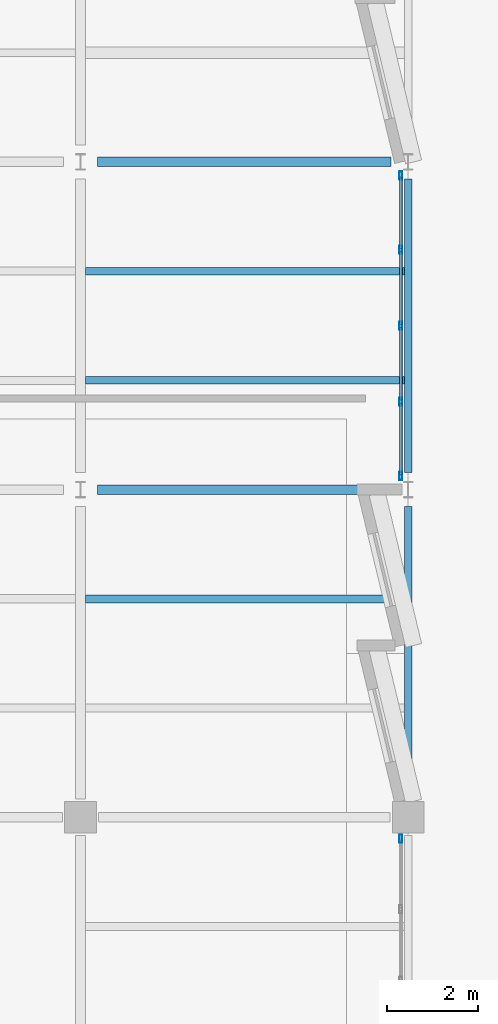
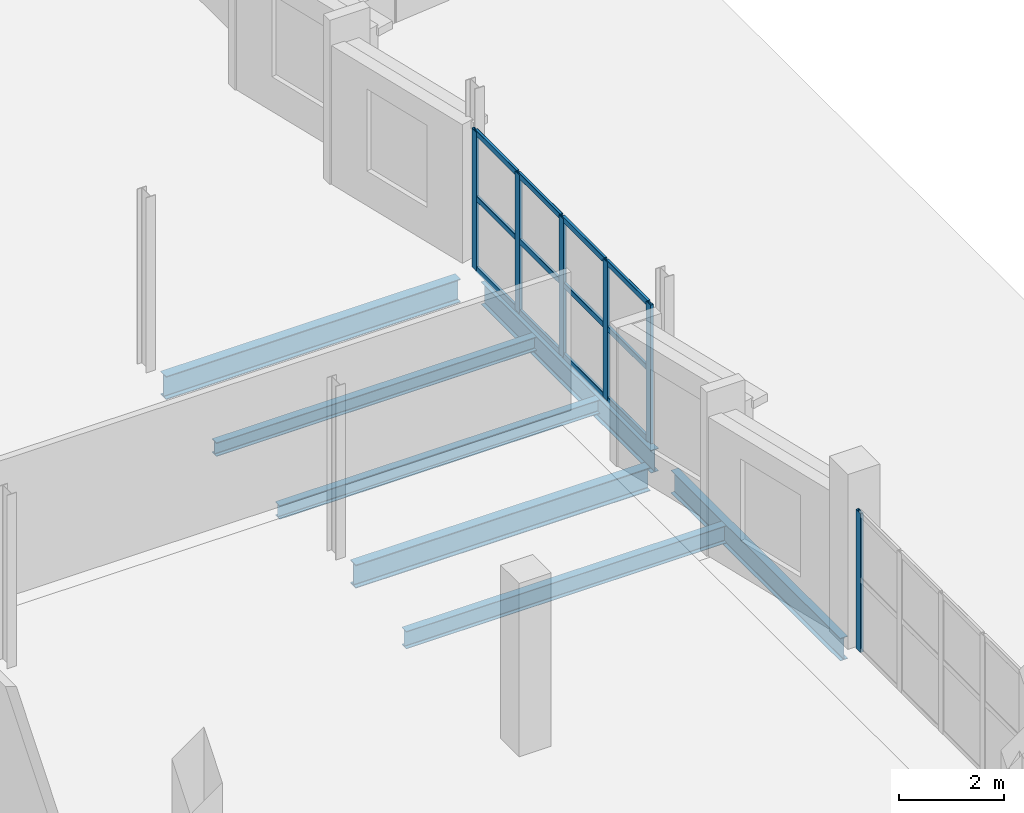
# One storey, part 19 of 38: 18 members, 7 beams, 2 elements without a shape of their own.
"""IFC4 building model written with IfcOpenShell, lengths in metres."""

from ifc_helpers import new_model, si_unit, direction, frame, origin, origin_2d, place, context, subcontext, project, spatial, hollow_rectangle, i_section, extrude, material, material_profile, profile_set, type_object, element, aggregate, save


model = new_model("IFC4")

# Units and contexts
model_context = context("Model", 3, precision=1e-05, world=origin(), true_north=direction((0.0, 1.0)))
body_context = subcontext(model_context, "Body", "Model", "MODEL_VIEW")
ifc_project = project(units=[si_unit("LENGTHUNIT", "METRE"), si_unit("AREAUNIT", "SQUARE_METRE"), si_unit("VOLUMEUNIT", "CUBIC_METRE"), si_unit("PLANEANGLEUNIT", "RADIAN"), si_unit("MASSUNIT", "GRAM", prefix="KILO")], contexts=[model_context])

# Site, building, storey
site_placement = place(None, origin())
site = spatial("IfcSite", under=ifc_project, at=site_placement, CompositionType="ELEMENT")
building_placement = place(site_placement, origin())
building = spatial("IfcBuilding", under=site, at=building_placement, Name="Kalmorath City Hall", CompositionType="ELEMENT")
storey_placement = place(building_placement, frame((0.0, 0.0, 18.89990234375)))
storey = spatial("IfcBuildingStorey", under=building, at=storey_placement, Name="L04", CompositionType="ELEMENT", Elevation=18.89990234375)

# Curtain wall, members
ifc_material_1 = material(Name="Anodised aluminium and laminated glass", Category="aluminium")
curtain_wall_type_1 = type_object("IfcCurtainWallType", Name="Unitised hurricane curtain wall 6670x3208 M1750", PredefinedType="NOTDEFINED", material=ifc_material_1)
curtain_wall_1_placement = place(storey_placement, origin())
curtain_wall_1 = element("IfcCurtainWall", 1, at=curtain_wall_1_placement, inside=storey, type_object=curtain_wall_type_1, Name="L04 curtain wall CW-67X32M18 #165", PredefinedType="NOTDEFINED")
ifc_material_2 = material(Name="Anodised aluminium framing", Category="aluminium")
ifc_material_profile_1 = material_profile(ifc_material_2, hollow_rectangle(XDim=0.06494140625, YDim=0.179931640625, WallThickness=0.00390625, InnerFilletRadius=0.00390625, OuterFilletRadius=0.008056640625, at=origin_2d()), Name="ALU-MUL-180X65X4")
ifc_profile_set_1 = profile_set([ifc_material_profile_1], Name="Anodised aluminium framing")
member_type_1 = type_object("IfcMemberType", Name="Curtain-wall courtyard mullion 180x65", PredefinedType="MULLION", material=ifc_profile_set_1)
member_1_placement = place(storey_placement, frame((21.43994140625, 78.902587890625, 0.0), z_axis=(0.0, 0.0, 1.0), x_axis=(1.0, 0.0, 0.0)))
member_1 = element("IfcMember", 2, at=member_1_placement, type_object=member_type_1, Name="CW-67X32M18 mullion 1", PredefinedType="MULLION", context=body_context, shape_type="SweptSolid", body=[
    extrude(hollow_rectangle(XDim=0.06494140625, YDim=0.179931640625, WallThickness=0.00390625, InnerFilletRadius=0.00390625, OuterFilletRadius=0.008056640625, at=origin_2d()), origin(), (0.0, 0.0, 1.0), 3.2080078125),
])
member_2_placement = place(storey_placement, frame((21.43994140625, 77.267578125, 0.0), z_axis=(0.0, 0.0, 1.0), x_axis=(1.0, 0.0, 0.0)))
member_2 = element("IfcMember", 3, at=member_2_placement, type_object=member_type_1, Name="CW-67X32M18 mullion 2", PredefinedType="MULLION", context=body_context, shape_type="SweptSolid", body=[
    extrude(hollow_rectangle(XDim=0.06494140625, YDim=0.179931640625, WallThickness=0.00390625, InnerFilletRadius=0.00390625, OuterFilletRadius=0.008056640625, at=origin_2d()), origin(), (0.0, 0.0, 1.0), 3.2080078125),
])
member_3_placement = place(storey_placement, frame((21.43994140625, 75.60009765625, 0.0), z_axis=(0.0, 0.0, 1.0), x_axis=(1.0, 0.0, 0.0)))
member_3 = element("IfcMember", 4, at=member_3_placement, type_object=member_type_1, Name="CW-67X32M18 mullion 3", PredefinedType="MULLION", context=body_context, shape_type="SweptSolid", body=[
    extrude(hollow_rectangle(XDim=0.06494140625, YDim=0.179931640625, WallThickness=0.00390625, InnerFilletRadius=0.00390625, OuterFilletRadius=0.008056640625, at=origin_2d()), origin(), (0.0, 0.0, 1.0), 3.2080078125),
])
member_4_placement = place(storey_placement, frame((21.43994140625, 73.9326171875, 0.0), z_axis=(0.0, 0.0, 1.0), x_axis=(1.0, 0.0, 0.0)))
member_4 = element("IfcMember", 5, at=member_4_placement, type_object=member_type_1, Name="CW-67X32M18 mullion 4", PredefinedType="MULLION", context=body_context, shape_type="SweptSolid", body=[
    extrude(hollow_rectangle(XDim=0.06494140625, YDim=0.179931640625, WallThickness=0.00390625, InnerFilletRadius=0.00390625, OuterFilletRadius=0.008056640625, at=origin_2d()), origin(), (0.0, 0.0, 1.0), 3.2080078125),
])
member_5_placement = place(storey_placement, frame((21.43994140625, 72.297607421875, 0.0), z_axis=(0.0, 0.0, 1.0), x_axis=(1.0, 0.0, 0.0)))
member_5 = element("IfcMember", 6, at=member_5_placement, type_object=member_type_1, Name="CW-67X32M18 mullion 5", PredefinedType="MULLION", context=body_context, shape_type="SweptSolid", body=[
    extrude(hollow_rectangle(XDim=0.06494140625, YDim=0.179931640625, WallThickness=0.00390625, InnerFilletRadius=0.00390625, OuterFilletRadius=0.008056640625, at=origin_2d()), origin(), (0.0, 0.0, 1.0), 3.2080078125),
])

# Curtain wall, member
ifc_material_3 = material(Name="Anodised aluminium and laminated glass", Category="aluminium")
curtain_wall_type_2 = type_object("IfcCurtainWallType", Name="Unitised hurricane curtain wall 6320x3216 M1750", PredefinedType="NOTDEFINED", material=ifc_material_3)
curtain_wall_2_placement = place(storey_placement, origin())
curtain_wall_2 = element("IfcCurtainWall", 7, at=curtain_wall_2_placement, inside=storey, type_object=curtain_wall_type_2, Name="L04 curtain wall CW-63X32M18 #166", PredefinedType="NOTDEFINED")
member_6_placement = place(storey_placement, frame((21.43994140625, 64.327392578125, 0.0), z_axis=(0.0, 0.0, 1.0), x_axis=(1.0, 0.0, 0.0)))
member_6 = element("IfcMember", 8, at=member_6_placement, type_object=member_type_1, Name="CW-63X32M18 mullion 1", PredefinedType="MULLION", context=body_context, shape_type="SweptSolid", body=[
    extrude(hollow_rectangle(XDim=0.06494140625, YDim=0.179931640625, WallThickness=0.00390625, InnerFilletRadius=0.00390625, OuterFilletRadius=0.008056640625, at=origin_2d()), origin(), (0.0, 0.0, 1.0), 3.216064453125),
])
aggregate(curtain_wall_2, [member_6])

# Member
ifc_material_4 = material(Name="Anodised aluminium framing", Category="aluminium")
ifc_material_profile_2 = material_profile(ifc_material_4, hollow_rectangle(XDim=0.06005859375, YDim=0.1298828125, WallThickness=0.00341796875, InnerFilletRadius=0.00341796875, OuterFilletRadius=0.007080078125, at=origin_2d()), Name="ALU-TRN-130X60X3.5")
ifc_profile_set_2 = profile_set([ifc_material_profile_2], Name="Anodised aluminium framing")
member_type_2 = type_object("IfcMemberType", Name="Curtain-wall courtyard transom 130x60", PredefinedType="USERDEFINED", material=ifc_profile_set_2)
member_7_placement = place(storey_placement, frame((21.43994140625, 78.8701171875, 0.030029296875), z_axis=(0.0, -1.0, 0.0), x_axis=(1.0, 0.0, 0.0)))
member_7 = element("IfcMember", 9, at=member_7_placement, type_object=member_type_2, Name="CW-67X32M18 transom 1.1", ObjectType="TRANSOM", PredefinedType="USERDEFINED", context=body_context, shape_type="SweptSolid", body=[
    extrude(hollow_rectangle(XDim=0.06005859375, YDim=0.1298828125, WallThickness=0.00341796875, InnerFilletRadius=0.00341796875, OuterFilletRadius=0.007080078125, at=origin_2d()), origin(), (0.0, 0.0, 1.0), 1.570068359375),
])

member_8_placement = place(storey_placement, frame((21.43994140625, 78.8701171875, 1.668212890625), z_axis=(0.0, -1.0, 0.0), x_axis=(1.0, 0.0, 0.0)))
member_8 = element("IfcMember", 10, at=member_8_placement, type_object=member_type_2, Name="CW-67X32M18 transom 1.2", ObjectType="TRANSOM", PredefinedType="USERDEFINED", context=body_context, shape_type="SweptSolid", body=[
    extrude(hollow_rectangle(XDim=0.06005859375, YDim=0.1298828125, WallThickness=0.00341796875, InnerFilletRadius=0.00341796875, OuterFilletRadius=0.007080078125, at=origin_2d()), origin(), (0.0, 0.0, 1.0), 1.570068359375),
])

member_9_placement = place(storey_placement, frame((21.43994140625, 78.8701171875, 3.177978515625), z_axis=(0.0, -1.0, 0.0), x_axis=(1.0, 0.0, 0.0)))
member_9 = element("IfcMember", 11, at=member_9_placement, type_object=member_type_2, Name="CW-67X32M18 transom 1.3", ObjectType="TRANSOM", PredefinedType="USERDEFINED", context=body_context, shape_type="SweptSolid", body=[
    extrude(hollow_rectangle(XDim=0.06005859375, YDim=0.1298828125, WallThickness=0.00341796875, InnerFilletRadius=0.00341796875, OuterFilletRadius=0.007080078125, at=origin_2d()), origin(), (0.0, 0.0, 1.0), 1.570068359375),
])

member_10_placement = place(storey_placement, frame((21.43994140625, 77.235107421875, 0.030029296875), z_axis=(0.0, -1.0, 0.0), x_axis=(1.0, 0.0, 0.0)))
member_10 = element("IfcMember", 12, at=member_10_placement, type_object=member_type_2, Name="CW-67X32M18 transom 2.1", ObjectType="TRANSOM", PredefinedType="USERDEFINED", context=body_context, shape_type="SweptSolid", body=[
    extrude(hollow_rectangle(XDim=0.06005859375, YDim=0.1298828125, WallThickness=0.00341796875, InnerFilletRadius=0.00341796875, OuterFilletRadius=0.007080078125, at=origin_2d()), origin(), (0.0, 0.0, 1.0), 1.6025390625),
])

member_11_placement = place(storey_placement, frame((21.43994140625, 77.235107421875, 1.668212890625), z_axis=(0.0, -1.0, 0.0), x_axis=(1.0, 0.0, 0.0)))
member_11 = element("IfcMember", 13, at=member_11_placement, type_object=member_type_2, Name="CW-67X32M18 transom 2.2", ObjectType="TRANSOM", PredefinedType="USERDEFINED", context=body_context, shape_type="SweptSolid", body=[
    extrude(hollow_rectangle(XDim=0.06005859375, YDim=0.1298828125, WallThickness=0.00341796875, InnerFilletRadius=0.00341796875, OuterFilletRadius=0.007080078125, at=origin_2d()), origin(), (0.0, 0.0, 1.0), 1.6025390625),
])

member_12_placement = place(storey_placement, frame((21.43994140625, 77.235107421875, 3.177978515625), z_axis=(0.0, -1.0, 0.0), x_axis=(1.0, 0.0, 0.0)))
member_12 = element("IfcMember", 14, at=member_12_placement, type_object=member_type_2, Name="CW-67X32M18 transom 2.3", ObjectType="TRANSOM", PredefinedType="USERDEFINED", context=body_context, shape_type="SweptSolid", body=[
    extrude(hollow_rectangle(XDim=0.06005859375, YDim=0.1298828125, WallThickness=0.00341796875, InnerFilletRadius=0.00341796875, OuterFilletRadius=0.007080078125, at=origin_2d()), origin(), (0.0, 0.0, 1.0), 1.6025390625),
])

member_13_placement = place(storey_placement, frame((21.43994140625, 75.5673828125, 0.030029296875), z_axis=(0.0, -1.0, 0.0), x_axis=(1.0, 0.0, 0.0)))
member_13 = element("IfcMember", 15, at=member_13_placement, type_object=member_type_2, Name="CW-67X32M18 transom 3.1", ObjectType="TRANSOM", PredefinedType="USERDEFINED", context=body_context, shape_type="SweptSolid", body=[
    extrude(hollow_rectangle(XDim=0.06005859375, YDim=0.1298828125, WallThickness=0.00341796875, InnerFilletRadius=0.00341796875, OuterFilletRadius=0.007080078125, at=origin_2d()), origin(), (0.0, 0.0, 1.0), 1.602294921875),
])

member_14_placement = place(storey_placement, frame((21.43994140625, 75.5673828125, 1.668212890625), z_axis=(0.0, -1.0, 0.0), x_axis=(1.0, 0.0, 0.0)))
member_14 = element("IfcMember", 16, at=member_14_placement, type_object=member_type_2, Name="CW-67X32M18 transom 3.2", ObjectType="TRANSOM", PredefinedType="USERDEFINED", context=body_context, shape_type="SweptSolid", body=[
    extrude(hollow_rectangle(XDim=0.06005859375, YDim=0.1298828125, WallThickness=0.00341796875, InnerFilletRadius=0.00341796875, OuterFilletRadius=0.007080078125, at=origin_2d()), origin(), (0.0, 0.0, 1.0), 1.602294921875),
])

member_15_placement = place(storey_placement, frame((21.43994140625, 75.5673828125, 3.177978515625), z_axis=(0.0, -1.0, 0.0), x_axis=(1.0, 0.0, 0.0)))
member_15 = element("IfcMember", 17, at=member_15_placement, type_object=member_type_2, Name="CW-67X32M18 transom 3.3", ObjectType="TRANSOM", PredefinedType="USERDEFINED", context=body_context, shape_type="SweptSolid", body=[
    extrude(hollow_rectangle(XDim=0.06005859375, YDim=0.1298828125, WallThickness=0.00341796875, InnerFilletRadius=0.00341796875, OuterFilletRadius=0.007080078125, at=origin_2d()), origin(), (0.0, 0.0, 1.0), 1.602294921875),
])

member_16_placement = place(storey_placement, frame((21.43994140625, 73.89990234375, 0.030029296875), z_axis=(0.0, -1.0, 0.0), x_axis=(1.0, 0.0, 0.0)))
member_16 = element("IfcMember", 18, at=member_16_placement, type_object=member_type_2, Name="CW-67X32M18 transom 4.1", ObjectType="TRANSOM", PredefinedType="USERDEFINED", context=body_context, shape_type="SweptSolid", body=[
    extrude(hollow_rectangle(XDim=0.06005859375, YDim=0.1298828125, WallThickness=0.00341796875, InnerFilletRadius=0.00341796875, OuterFilletRadius=0.007080078125, at=origin_2d()), origin(), (0.0, 0.0, 1.0), 1.56982421875),
])

member_17_placement = place(storey_placement, frame((21.43994140625, 73.89990234375, 1.668212890625), z_axis=(0.0, -1.0, 0.0), x_axis=(1.0, 0.0, 0.0)))
member_17 = element("IfcMember", 19, at=member_17_placement, type_object=member_type_2, Name="CW-67X32M18 transom 4.2", ObjectType="TRANSOM", PredefinedType="USERDEFINED", context=body_context, shape_type="SweptSolid", body=[
    extrude(hollow_rectangle(XDim=0.06005859375, YDim=0.1298828125, WallThickness=0.00341796875, InnerFilletRadius=0.00341796875, OuterFilletRadius=0.007080078125, at=origin_2d()), origin(), (0.0, 0.0, 1.0), 1.56982421875),
])

member_18_placement = place(storey_placement, frame((21.43994140625, 73.89990234375, 3.177978515625), z_axis=(0.0, -1.0, 0.0), x_axis=(1.0, 0.0, 0.0)))
member_18 = element("IfcMember", 20, at=member_18_placement, type_object=member_type_2, Name="CW-67X32M18 transom 4.3", ObjectType="TRANSOM", PredefinedType="USERDEFINED", context=body_context, shape_type="SweptSolid", body=[
    extrude(hollow_rectangle(XDim=0.06005859375, YDim=0.1298828125, WallThickness=0.00341796875, InnerFilletRadius=0.00341796875, OuterFilletRadius=0.007080078125, at=origin_2d()), origin(), (0.0, 0.0, 1.0), 1.56982421875),
])

aggregate(curtain_wall_1, [member_1, member_2, member_3, member_4, member_5, member_7, member_8, member_9, member_10, member_11, member_12, member_13, member_14, member_15, member_16, member_17, member_18])

# Beams
ifc_material_5 = material(Name="Steel ASTM A992 Grade 50", Category="steel")
ifc_material_profile_3 = material_profile(ifc_material_5, i_section(OverallWidth=0.177001953125, OverallDepth=0.403076171875, WebThickness=0.007568359375, FlangeThickness=0.010986328125, FilletRadius=0.012939453125, at=origin_2d()), Name="W16X36")
ifc_profile_set_3 = profile_set([ifc_material_profile_3], Name="Steel ASTM A992 Grade 50")
beam_type_1 = type_object("IfcBeamType", Name="Steel composite joist W16X36", PredefinedType="JOIST", material=ifc_profile_set_3)
beam_1_placement = place(storey_placement, frame((14.505615234375, 69.60009765625, -0.495361328125), z_axis=(1.0, 0.0, 0.0), x_axis=(0.0, 1.0, 0.0)))
element("IfcBeam", 21, at=beam_1_placement, inside=storey, type_object=beam_type_1, Name="L04 joist SJ7 3.10.2", PredefinedType="JOIST", context=body_context, shape_type="SweptSolid", body=[
    extrude(i_section(OverallWidth=0.177001953125, OverallDepth=0.403076171875, WebThickness=0.007568359375, FlangeThickness=0.010986328125, FilletRadius=0.012939453125, at=origin_2d()), origin(), (0.0, 0.0, 1.0), 7.011962890625),
])
ifc_material_6 = material(Name="Steel ASTM A992 Grade 50", Category="steel")
ifc_material_profile_4 = material_profile(ifc_material_6, i_section(OverallWidth=0.2109375, OverallDepth=0.5390625, WebThickness=0.01171875, FlangeThickness=0.018798828125, FilletRadius=0.014892578125, at=origin_2d()), Name="W21X73")
ifc_profile_set_4 = profile_set([ifc_material_profile_4], Name="Steel ASTM A992 Grade 50")
beam_type_2 = type_object("IfcBeamType", Name="Steel floor beam W21X73", PredefinedType="BEAM", material=ifc_profile_set_4)
for number, where, z_axis, x_axis, name in (
    (22, (14.77490234375, 72.0, -0.5634765625), (1.0, 0.0, 0.0), (0.0, 1.0, 0.0), "L04 girder SB1 X3-4/11"),
    (23, (14.77490234375, 79.199951171875, -0.5634765625), (1.0, 0.0, 0.0), (0.0, 1.0, 0.0), "L04 girder SB1 X3-4/12"),
):
    element("IfcBeam", number, at=place(storey_placement, frame(where, z_axis=z_axis, x_axis=x_axis)), inside=storey, type_object=beam_type_2, Name=name, PredefinedType="BEAM", context=body_context, shape_type="SweptSolid", body=[
        extrude(i_section(OverallWidth=0.2109375, OverallDepth=0.5390625, WebThickness=0.01171875, FlangeThickness=0.018798828125, FilletRadius=0.014892578125, at=origin_2d()), origin(), (0.0, 0.0, 1.0), 6.4501953125),
    ])
ifc_material_7 = material(Name="Steel ASTM A992 Grade 50", Category="steel")
ifc_material_profile_5 = material_profile(ifc_material_7, i_section(OverallWidth=0.1669921875, OverallDepth=0.318115234375, WebThickness=0.007568359375, FlangeThickness=0.01318359375, FilletRadius=0.012939453125, at=origin_2d()), Name="W12X35")
ifc_profile_set_5 = profile_set([ifc_material_profile_5], Name="Steel ASTM A992 Grade 50")
beam_type_3 = type_object("IfcBeamType", Name="Steel header lintel W12X35", PredefinedType="LINTEL", material=ifc_profile_set_5)
for number, where, z_axis, x_axis, name in (
    (24, (14.505615234375, 74.39990234375, -0.452880859375), (1.0, 0.0, 0.0), (0.0, 1.0, 0.0), "L04 joist SJ13 3.11.1"),
    (25, (14.505615234375, 76.800048828125, -0.452880859375), (1.0, 0.0, 0.0), (0.0, 1.0, 0.0), "L04 joist SJ13 3.11.2"),
):
    element("IfcBeam", number, at=place(storey_placement, frame(where, z_axis=z_axis, x_axis=x_axis)), inside=storey, type_object=beam_type_3, Name=name, PredefinedType="LINTEL", context=body_context, shape_type="SweptSolid", body=[
        extrude(i_section(OverallWidth=0.1669921875, OverallDepth=0.318115234375, WebThickness=0.007568359375, FlangeThickness=0.01318359375, FilletRadius=0.012939453125, at=origin_2d()), origin(), (0.0, 0.0, 1.0), 7.011962890625),
    ])
ifc_material_8 = material(Name="Steel ASTM A992 Grade 50", Category="steel")
ifc_material_profile_6 = material_profile(ifc_material_8, i_section(OverallWidth=0.1650390625, OverallDepth=0.52490234375, WebThickness=0.0087890625, FlangeThickness=0.011474609375, FilletRadius=0.014892578125, at=origin_2d()), Name="W21X44")
ifc_profile_set_6 = profile_set([ifc_material_profile_6], Name="Steel ASTM A992 Grade 50")
beam_type_4 = type_object("IfcBeamType", Name="Steel spandrel beam W21X44", PredefinedType="SPANDREL", material=ifc_profile_set_6)
beam_2_placement = place(storey_placement, frame((21.60009765625, 65.199951171875, -0.556396484375), z_axis=(0.0, 1.0, 0.0), x_axis=(-1.0, 0.0, 0.0)))
element("IfcBeam", 26, at=beam_2_placement, inside=storey, type_object=beam_type_4, Name="L04 girder SB4 Y4/10-11", PredefinedType="SPANDREL", context=body_context, shape_type="SweptSolid", body=[
    extrude(i_section(OverallWidth=0.1650390625, OverallDepth=0.52490234375, WebThickness=0.0087890625, FlangeThickness=0.011474609375, FilletRadius=0.014892578125, at=origin_2d()), origin(), (0.0, 0.0, 1.0), 6.425048828125),
])
beam_3_placement = place(storey_placement, frame((21.60009765625, 72.375, -0.556396484375), z_axis=(0.0, 1.0, 0.0), x_axis=(-1.0, 0.0, 0.0)))
element("IfcBeam", 27, at=beam_3_placement, inside=storey, type_object=beam_type_4, Name="L04 girder SB4 Y4/11-12", PredefinedType="SPANDREL", context=body_context, shape_type="SweptSolid", body=[
    extrude(i_section(OverallWidth=0.1650390625, OverallDepth=0.52490234375, WebThickness=0.0087890625, FlangeThickness=0.011474609375, FilletRadius=0.014892578125, at=origin_2d()), origin(), (0.0, 0.0, 1.0), 6.449951171875),
])

save(model, "model.ifc")
